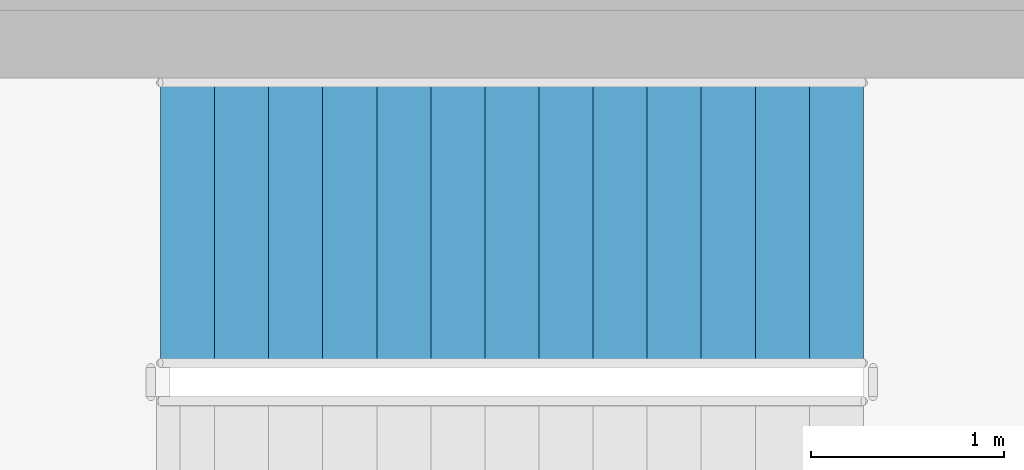
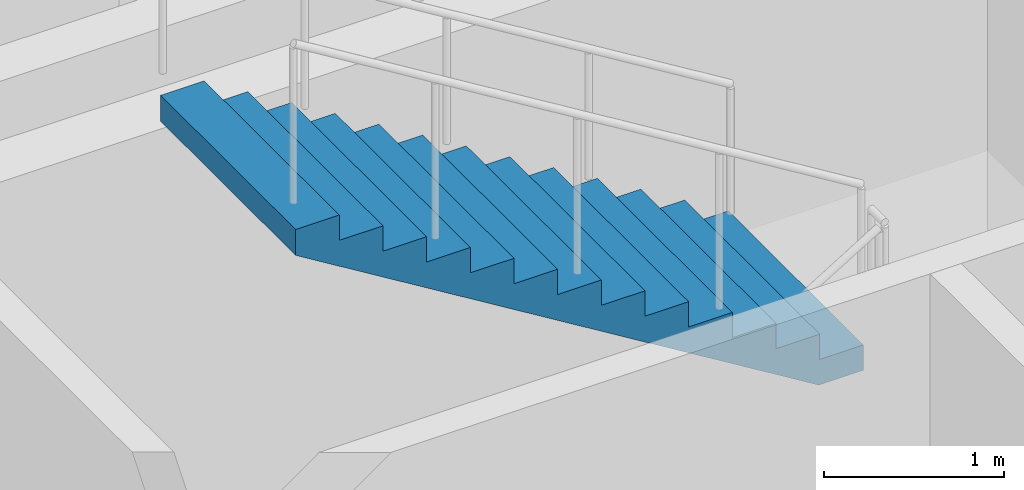
# One storey, part 72 of 91: 1 stair flight, 1 element without a shape of its own.
"""IFC4 building model written with IfcOpenShell, lengths in metres."""

from ifc_helpers import new_model, si_unit, direction, frame, origin, place, context, subcontext, project, spatial, triangles, material, type_object, element, aggregate, save


model = new_model("IFC4")

# Units and contexts
model_context = context("Model", 3, precision=1e-05, world=origin(), true_north=direction((0.0, 1.0)))
body_context = subcontext(model_context, "Body", "Model", "MODEL_VIEW")
ifc_project = project(units=[si_unit("LENGTHUNIT", "METRE"), si_unit("AREAUNIT", "SQUARE_METRE"), si_unit("VOLUMEUNIT", "CUBIC_METRE"), si_unit("PLANEANGLEUNIT", "RADIAN"), si_unit("MASSUNIT", "GRAM", prefix="KILO")], contexts=[model_context])

# Site, building, storey
site_placement = place(None, origin())
site = spatial("IfcSite", under=ifc_project, at=site_placement, CompositionType="ELEMENT")
building_placement = place(site_placement, origin())
building = spatial("IfcBuilding", under=site, at=building_placement, Name="Magnolia Steps Interchange", CompositionType="ELEMENT")
storey_placement = place(building_placement, origin())
storey = spatial("IfcBuildingStorey", under=building, at=storey_placement, Name="L00", CompositionType="ELEMENT", Elevation=0.0)

# Stair, stair flight
ifc_material_1 = material(Name="Concrete C40", Category="concrete")
stair_type = type_object("IfcStairType", Name="Exit stair 1500", PredefinedType="HALF_TURN_STAIR", material=ifc_material_1)
stair_placement = place(storey_placement, origin())
stair = element("IfcStair", 1, at=stair_placement, inside=storey, type_object=stair_type, Name="L00 Stair 3", PredefinedType="HALF_TURN_STAIR")
ifc_material_2 = material(Name="Concrete C40", Category="concrete")
stair_flight_type = type_object("IfcStairFlightType", Name="Exit stair flight", PredefinedType="STRAIGHT", material=ifc_material_2)
stair_flight_placement = place(storey_placement, frame((115.840087890625, 84.35009765625, 2.39990234375), z_axis=(0.0, 0.0, 1.0), x_axis=(-1.0, 0.0, 0.0)))
stair_flight = element("IfcStairFlight", 2, at=stair_flight_placement, type_object=stair_flight_type, Name="Stair 3 flight 2", NumberOfRisers=14, NumberOfTreads=13, PredefinedType="STRAIGHT", RiserHeight=0.171428571, TreadLength=0.28, context=body_context, shape_type="Tessellation", body=[
    triangles([(0.0, -0.75, 0.0), (0.287109375, -0.75, 0.0), (3.639892578125, -0.75, 2.052734375), (3.639892578125, -0.75, 2.228515625), (3.360107421875, -0.75, 2.228515625), (3.360107421875, -0.75, 2.05712890625), (3.080078125, -0.75, 2.05712890625), (3.080078125, -0.75, 1.8857421875), (2.800048828125, -0.75, 1.8857421875), (2.800048828125, -0.75, 1.71435546875), (2.52001953125, -0.75, 1.71435546875), (2.52001953125, -0.75, 1.54296875), (2.239990234375, -0.75, 1.54296875), (2.239990234375, -0.75, 1.371337890625), (1.9599609375, -0.75, 1.371337890625), (1.9599609375, -0.75, 1.199951171875), (1.679931640625, -0.75, 1.199951171875), (1.679931640625, -0.75, 1.028564453125), (1.39990234375, -0.75, 1.028564453125), (1.39990234375, -0.75, 0.857177734375), (1.1201171875, -0.75, 0.857177734375), (1.1201171875, -0.75, 0.685791015625), (0.840087890625, -0.75, 0.685791015625), (0.840087890625, -0.75, 0.514404296875), (0.56005859375, -0.75, 0.514404296875), (0.56005859375, -0.75, 0.3427734375), (0.280029296875, -0.75, 0.3427734375), (0.280029296875, -0.75, 0.17138671875), (0.0, -0.75, 0.17138671875), (0.0, 0.75, 0.0), (0.287109375, 0.75, 0.0), (3.639892578125, 0.75, 2.052734375), (3.639892578125, 0.75, 2.228515625), (3.360107421875, 0.75, 2.228515625), (3.360107421875, 0.75, 2.05712890625), (3.080078125, 0.75, 2.05712890625), (3.080078125, 0.75, 1.8857421875), (2.800048828125, 0.75, 1.8857421875), (2.800048828125, 0.75, 1.71435546875), (2.52001953125, 0.75, 1.71435546875), (2.52001953125, 0.75, 1.54296875), (2.239990234375, 0.75, 1.54296875), (2.239990234375, 0.75, 1.371337890625), (1.9599609375, 0.75, 1.371337890625), (1.9599609375, 0.75, 1.199951171875), (1.679931640625, 0.75, 1.199951171875), (1.679931640625, 0.75, 1.028564453125), (1.39990234375, 0.75, 1.028564453125), (1.39990234375, 0.75, 0.857177734375), (1.1201171875, 0.75, 0.857177734375), (1.1201171875, 0.75, 0.685791015625), (0.840087890625, 0.75, 0.685791015625), (0.840087890625, 0.75, 0.514404296875), (0.56005859375, 0.75, 0.514404296875), (0.56005859375, 0.75, 0.3427734375), (0.280029296875, 0.75, 0.3427734375), (0.280029296875, 0.75, 0.17138671875), (0.0, 0.75, 0.17138671875), (0.0, 0.0, 0.0), (0.0, 0.0, 0.0428466796875), (0.0, 0.0, 0.085693359375), (0.0, 0.0, 0.1285400390625), (0.0, 0.0, 0.17138671875), (0.0, -0.05, 0.0), (0.0, -0.05, 0.17138671875), (0.0, 0.05, 0.0), (0.0, 0.05, 0.17138671875), (0.046671549479166664, 0.0, 0.17138671875), (0.09334309895833333, 0.0, 0.17138671875), (0.1400146484375, 0.0, 0.17138671875), (0.18668619791666666, 0.0, 0.17138671875), (0.23335774739583334, 0.0, 0.17138671875), (0.280029296875, 0.0, 0.17138671875), (0.280029296875, -0.05, 0.17138671875), (0.280029296875, 0.05, 0.17138671875), (0.280029296875, 0.0, 0.2142333984375), (0.280029296875, 0.0, 0.257080078125), (0.280029296875, 0.0, 0.2999267578125), (0.280029296875, 0.0, 0.3427734375), (0.280029296875, -0.05, 0.3427734375), (0.280029296875, 0.05, 0.3427734375), (0.3267008463541667, 0.0, 0.3427734375), (0.3733723958333333, 0.0, 0.3427734375), (0.4200439453125, 0.0, 0.3427734375), (0.46671549479166663, 0.0, 0.3427734375), (0.5133870442708334, 0.0, 0.3427734375), (0.56005859375, 0.0, 0.3427734375), (0.56005859375, -0.05, 0.3427734375), (0.56005859375, 0.05, 0.3427734375), (0.56005859375, 0.0, 0.38568115234375), (0.56005859375, 0.0, 0.4285888671875), (0.56005859375, 0.0, 0.47149658203125), (0.56005859375, 0.0, 0.514404296875), (0.56005859375, -0.05, 0.514404296875), (0.56005859375, 0.05, 0.514404296875), (0.6067301432291666, 0.0, 0.514404296875), (0.6534016927083334, 0.0, 0.514404296875), (0.7000732421875, 0.0, 0.514404296875), (0.7467447916666666, 0.0, 0.514404296875), (0.7934163411458334, 0.0, 0.514404296875), (0.840087890625, 0.0, 0.514404296875), (0.840087890625, -0.05, 0.514404296875), (0.840087890625, 0.05, 0.514404296875), (0.840087890625, 0.0, 0.5572509765625), (0.840087890625, 0.0, 0.60009765625), (0.840087890625, 0.0, 0.6429443359375), (0.840087890625, 0.0, 0.685791015625), (0.840087890625, -0.05, 0.685791015625), (0.840087890625, 0.05, 0.685791015625), (0.8867594401041666, 0.0, 0.685791015625), (0.9334309895833334, 0.0, 0.685791015625), (0.9801025390625, 0.0, 0.685791015625), (1.0267740885416667, 0.0, 0.685791015625), (1.0734456380208333, 0.0, 0.685791015625), (1.1201171875, 0.0, 0.685791015625), (1.1201171875, -0.05, 0.685791015625), (1.1201171875, 0.05, 0.685791015625), (1.1201171875, 0.0, 0.7286376953125), (1.1201171875, 0.0, 0.771484375), (1.1201171875, 0.0, 0.8143310546875), (1.1201171875, 0.0, 0.857177734375), (1.1201171875, -0.05, 0.857177734375), (1.1201171875, 0.05, 0.857177734375), (1.1900634765625, 0.0, 0.857177734375), (1.260009765625, 0.0, 0.857177734375), (1.3299560546875, 0.0, 0.857177734375), (1.39990234375, 0.0, 0.857177734375), (1.39990234375, -0.05, 0.857177734375), (1.39990234375, 0.05, 0.857177734375), (1.39990234375, 0.0, 0.9000244140625), (1.39990234375, 0.0, 0.94287109375), (1.39990234375, 0.0, 0.9857177734375), (1.39990234375, 0.0, 1.028564453125), (1.39990234375, -0.05, 1.028564453125), (1.39990234375, 0.05, 1.028564453125), (1.4465738932291667, 0.0, 1.028564453125), (1.4932454427083333, 0.0, 1.028564453125), (1.5399169921875, 0.0, 1.028564453125), (1.5865885416666667, 0.0, 1.028564453125), (1.6332600911458333, 0.0, 1.028564453125), (1.679931640625, 0.0, 1.028564453125), (1.679931640625, -0.05, 1.028564453125), (1.679931640625, 0.05, 1.028564453125), (1.679931640625, 0.0, 1.0714111328125), (1.679931640625, 0.0, 1.1142578125), (1.679931640625, 0.0, 1.1571044921875), (1.679931640625, 0.0, 1.199951171875), (1.679931640625, -0.05, 1.199951171875), (1.679931640625, 0.05, 1.199951171875), (1.7266031901041667, 0.0, 1.199951171875), (1.7732747395833333, 0.0, 1.199951171875), (1.8199462890625, 0.0, 1.199951171875), (1.8666178385416667, 0.0, 1.199951171875), (1.9132893880208333, 0.0, 1.199951171875), (1.9599609375, 0.0, 1.199951171875), (1.9599609375, -0.05, 1.199951171875), (1.9599609375, 0.05, 1.199951171875), (1.9599609375, 0.0, 1.2427978515625), (1.9599609375, 0.0, 1.28564453125), (1.9599609375, 0.0, 1.3284912109375), (1.9599609375, 0.0, 1.371337890625), (1.9599609375, -0.05, 1.371337890625), (1.9599609375, 0.05, 1.371337890625), (2.0066324869791665, 0.0, 1.371337890625), (2.0533040364583335, 0.0, 1.371337890625), (2.0999755859375, 0.0, 1.371337890625), (2.1466471354166665, 0.0, 1.371337890625), (2.1933186848958335, 0.0, 1.371337890625), (2.239990234375, 0.0, 1.371337890625), (2.239990234375, -0.05, 1.371337890625), (2.239990234375, 0.05, 1.371337890625), (2.239990234375, 0.0, 1.41424560546875), (2.239990234375, 0.0, 1.4571533203125), (2.239990234375, 0.0, 1.50006103515625), (2.239990234375, 0.0, 1.54296875), (2.239990234375, -0.05, 1.54296875), (2.239990234375, 0.05, 1.54296875), (2.2866617838541665, 0.0, 1.54296875), (2.3333333333333335, 0.0, 1.54296875), (2.3800048828125, 0.0, 1.54296875), (2.4266764322916665, 0.0, 1.54296875), (2.4733479817708335, 0.0, 1.54296875), (2.52001953125, 0.0, 1.54296875), (2.52001953125, -0.05, 1.54296875), (2.52001953125, 0.05, 1.54296875), (2.52001953125, 0.0, 1.5858154296875), (2.52001953125, 0.0, 1.628662109375), (2.52001953125, 0.0, 1.6715087890625), (2.52001953125, 0.0, 1.71435546875), (2.52001953125, -0.05, 1.71435546875), (2.52001953125, 0.05, 1.71435546875), (2.5666910807291665, 0.0, 1.71435546875), (2.6133626302083335, 0.0, 1.71435546875), (2.6600341796875, 0.0, 1.71435546875), (2.7067057291666665, 0.0, 1.71435546875), (2.7533772786458335, 0.0, 1.71435546875), (2.800048828125, 0.0, 1.71435546875), (2.800048828125, -0.05, 1.71435546875), (2.800048828125, 0.05, 1.71435546875), (2.800048828125, 0.0, 1.7572021484375), (2.800048828125, 0.0, 1.800048828125), (2.800048828125, 0.0, 1.8428955078125), (2.800048828125, 0.0, 1.8857421875), (2.800048828125, -0.05, 1.8857421875), (2.800048828125, 0.05, 1.8857421875), (2.8467203776041665, 0.0, 1.8857421875), (2.8933919270833335, 0.0, 1.8857421875), (2.9400634765625, 0.0, 1.8857421875), (2.9867350260416665, 0.0, 1.8857421875), (3.0334065755208335, 0.0, 1.8857421875), (3.080078125, 0.0, 1.8857421875), (3.080078125, -0.05, 1.8857421875), (3.080078125, 0.05, 1.8857421875), (3.080078125, 0.0, 1.9285888671875), (3.080078125, 0.0, 1.971435546875), (3.080078125, 0.0, 2.0142822265625), (3.080078125, 0.0, 2.05712890625), (3.080078125, -0.05, 2.05712890625), (3.080078125, 0.05, 2.05712890625), (3.1267496744791665, 0.0, 2.05712890625), (3.1734212239583335, 0.0, 2.05712890625), (3.2200927734375, 0.0, 2.05712890625), (3.2667643229166665, 0.0, 2.05712890625), (3.3134358723958335, 0.0, 2.05712890625), (3.360107421875, 0.0, 2.05712890625), (3.360107421875, -0.05, 2.05712890625), (3.360107421875, 0.05, 2.05712890625), (3.360107421875, 0.0, 2.0999755859375), (3.360107421875, 0.0, 2.142822265625), (3.360107421875, 0.0, 2.1856689453125), (3.360107421875, 0.0, 2.228515625), (3.360107421875, -0.05, 2.228515625), (3.360107421875, 0.05, 2.228515625), (3.4300537109375, 0.0, 2.228515625), (3.5, 0.0, 2.228515625), (3.5699462890625, 0.0, 2.228515625), (3.639892578125, 0.0, 2.228515625), (3.639892578125, -0.05, 2.228515625), (3.639892578125, 0.05, 2.228515625), (3.639892578125, 0.0, 2.1845703125), (3.639892578125, 0.0, 2.140625), (3.639892578125, 0.0, 2.0966796875), (3.639892578125, 0.0, 2.052734375), (3.639892578125, -0.05, 2.052734375), (3.639892578125, 0.05, 2.052734375), (3.582085971174569, 0.0, 2.0173424030172415), (3.524279364224138, 0.0, 1.9819504310344827), (3.466472757273707, 0.0, 1.9465584590517242), (3.408666150323276, 0.0, 1.9111664870689655), (3.3508595433728448, 0.0, 1.8757745150862069), (3.2930529364224137, 0.0, 1.8403825431034484), (3.2352463294719827, 0.0, 1.8049905711206897), (3.1774397225215516, 0.0, 1.769598599137931), (3.1196331155711206, 0.0, 1.7342066271551724), (3.0618265086206895, 0.0, 1.6988146551724137), (3.004019901670259, 0.0, 1.6634226831896552), (2.9462132947198274, 0.0, 1.6280307112068966), (2.888406687769397, 0.0, 1.592638739224138), (2.8306000808189653, 0.0, 1.5572467672413794), (2.7727934738685347, 0.0, 1.5218547952586206), (2.714986866918103, 0.0, 1.486462823275862), (2.6571802599676726, 0.0, 1.4510708512931034), (2.599373653017241, 0.0, 1.4156788793103448), (2.5415670460668105, 0.0, 1.3802869073275863), (2.483760439116379, 0.0, 1.3448949353448276), (2.4259538321659484, 0.0, 1.309502963362069), (2.3681472252155173, 0.0, 1.2741109913793105), (2.3103406182650863, 0.0, 1.2387190193965516), (2.2525340113146552, 0.0, 1.2033270474137931), (2.194727404364224, 0.0, 1.1679350754310345), (2.136920797413793, 0.0, 1.1325431034482758), (2.079114190463362, 0.0, 1.0971511314655173), (2.021307583512931, 0.0, 1.0617591594827587), (1.9635009765625, 0.0, 1.0263671875), (1.905694369612069, 0.0, 0.9909752155172413), (1.847887762661638, 0.0, 0.9555832435344827), (1.7900811557112069, 0.0, 0.9201912715517242), (1.7322745487607758, 0.0, 0.8847992995689655), (1.6744679418103448, 0.0, 0.8494073275862069), (1.6166613348599137, 0.0, 0.8140153556034482), (1.5588547279094827, 0.0, 0.7786233836206897), (1.5010481209590516, 0.0, 0.743231411637931), (1.4432415140086206, 0.0, 0.7078394396551724), (1.3854349070581895, 0.0, 0.6724474676724137), (1.3276283001077585, 0.0, 0.6370554956896552), (1.2698216931573274, 0.0, 0.6016635237068966), (1.2120150862068964, 0.0, 0.5662715517241379), (1.1542084792564653, 0.0, 0.5308795797413792), (1.0964018723060347, 0.0, 0.4954876077586208), (1.0385952653556036, 0.0, 0.4600956357758621), (0.9807886584051726, 0.0, 0.4247036637931034), (0.9229820514547415, 0.0, 0.38931169181034475), (0.8651754445043105, 0.0, 0.3539197198275863), (0.8073688375538794, 0.0, 0.3185277478448276), (0.7495622306034484, 0.0, 0.28313577586206895), (0.6917556236530173, 0.0, 0.24774380387931028), (0.6339490167025863, 0.0, 0.21235183189655182), (0.5761424097521552, 0.0, 0.17695985991379315), (0.5183358028017242, 0.0, 0.14156788793103448), (0.46052919585129315, 0.0, 0.1061759159482758), (0.4027225889008621, 0.0, 0.07078394396551735), (0.34491598195043105, 0.0, 0.03539197198275845), (0.287109375, 0.0, 0.0), (0.287109375, -0.05, 0.0), (0.287109375, 0.05, 0.0), (0.2392578125, 0.0, 0.0), (0.19140625, 0.0, 0.0), (0.1435546875, 0.0, 0.0), (0.095703125, 0.0, 0.0), (0.0478515625, 0.0, 0.0)], [[1, 2, 3], [3, 4, 5], [3, 5, 6], [3, 6, 7], [3, 7, 8], [8, 9, 10], [3, 8, 10], [10, 11, 12], [3, 10, 12], [12, 13, 14], [3, 12, 14], [14, 15, 16], [3, 14, 16], [16, 17, 18], [3, 16, 18], [18, 19, 20], [3, 18, 20], [20, 21, 22], [3, 20, 22], [22, 23, 24], [3, 22, 24], [24, 25, 26], [3, 24, 26], [26, 27, 28], [3, 26, 28], [1, 3, 28], [28, 29, 1], [30, 32, 31], [32, 34, 33], [32, 35, 34], [32, 36, 35], [32, 37, 36], [37, 39, 38], [32, 39, 37], [39, 41, 40], [32, 41, 39], [41, 43, 42], [32, 43, 41], [43, 45, 44], [32, 45, 43], [45, 47, 46], [32, 47, 45], [47, 49, 48], [32, 49, 47], [49, 51, 50], [32, 51, 49], [51, 53, 52], [32, 53, 51], [53, 55, 54], [32, 55, 53], [55, 57, 56], [32, 57, 55], [30, 57, 32], [57, 30, 58], [1, 29, 65], [1, 65, 64], [64, 60, 59], [64, 61, 60], [64, 65, 61], [65, 62, 61], [65, 63, 62], [30, 67, 58], [30, 66, 67], [66, 59, 60], [66, 60, 61], [66, 61, 67], [67, 61, 62], [67, 62, 63], [29, 28, 74], [29, 74, 65], [65, 68, 63], [65, 69, 68], [65, 70, 69], [65, 74, 70], [74, 71, 70], [74, 72, 71], [74, 73, 72], [58, 75, 57], [58, 67, 75], [67, 63, 68], [67, 68, 69], [67, 69, 70], [67, 70, 75], [75, 70, 71], [75, 71, 72], [75, 72, 73], [28, 27, 80], [28, 80, 74], [74, 76, 73], [74, 77, 76], [74, 80, 77], [80, 78, 77], [80, 79, 78], [57, 81, 56], [57, 75, 81], [75, 73, 76], [75, 76, 77], [75, 77, 81], [81, 77, 78], [81, 78, 79], [27, 26, 88], [27, 88, 80], [80, 82, 79], [80, 83, 82], [80, 84, 83], [80, 88, 84], [88, 85, 84], [88, 86, 85], [88, 87, 86], [56, 89, 55], [56, 81, 89], [81, 79, 82], [81, 82, 83], [81, 83, 84], [81, 84, 89], [89, 84, 85], [89, 85, 86], [89, 86, 87], [26, 25, 94], [26, 94, 88], [88, 90, 87], [88, 91, 90], [88, 94, 91], [94, 92, 91], [94, 93, 92], [55, 95, 54], [55, 89, 95], [89, 87, 90], [89, 90, 91], [89, 91, 95], [95, 91, 92], [95, 92, 93], [25, 24, 102], [25, 102, 94], [94, 96, 93], [94, 97, 96], [94, 98, 97], [94, 102, 98], [102, 99, 98], [102, 100, 99], [102, 101, 100], [54, 103, 53], [54, 95, 103], [95, 93, 96], [95, 96, 97], [95, 97, 98], [95, 98, 103], [103, 98, 99], [103, 99, 100], [103, 100, 101], [24, 23, 108], [24, 108, 102], [102, 104, 101], [102, 105, 104], [102, 108, 105], [108, 106, 105], [108, 107, 106], [53, 109, 52], [53, 103, 109], [103, 101, 104], [103, 104, 105], [103, 105, 109], [109, 105, 106], [109, 106, 107], [23, 22, 116], [23, 116, 108], [108, 110, 107], [108, 111, 110], [108, 112, 111], [108, 116, 112], [116, 113, 112], [116, 114, 113], [116, 115, 114], [52, 117, 51], [52, 109, 117], [109, 107, 110], [109, 110, 111], [109, 111, 112], [109, 112, 117], [117, 112, 113], [117, 113, 114], [117, 114, 115], [22, 21, 122], [22, 122, 116], [116, 118, 115], [116, 119, 118], [116, 122, 119], [122, 120, 119], [122, 121, 120], [51, 123, 50], [51, 117, 123], [117, 115, 118], [117, 118, 119], [117, 119, 123], [123, 119, 120], [123, 120, 121], [21, 20, 128], [21, 128, 122], [122, 124, 121], [122, 125, 124], [122, 128, 125], [128, 126, 125], [128, 127, 126], [50, 129, 49], [50, 123, 129], [123, 121, 124], [123, 124, 125], [123, 125, 129], [129, 125, 126], [129, 126, 127], [20, 19, 134], [20, 134, 128], [128, 130, 127], [128, 131, 130], [128, 134, 131], [134, 132, 131], [134, 133, 132], [49, 135, 48], [49, 129, 135], [129, 127, 130], [129, 130, 131], [129, 131, 135], [135, 131, 132], [135, 132, 133], [19, 18, 142], [19, 142, 134], [134, 136, 133], [134, 137, 136], [134, 138, 137], [134, 142, 138], [142, 139, 138], [142, 140, 139], [142, 141, 140], [48, 143, 47], [48, 135, 143], [135, 133, 136], [135, 136, 137], [135, 137, 138], [135, 138, 143], [143, 138, 139], [143, 139, 140], [143, 140, 141], [18, 17, 148], [18, 148, 142], [142, 144, 141], [142, 145, 144], [142, 148, 145], [148, 146, 145], [148, 147, 146], [47, 149, 46], [47, 143, 149], [143, 141, 144], [143, 144, 145], [143, 145, 149], [149, 145, 146], [149, 146, 147], [17, 16, 156], [17, 156, 148], [148, 150, 147], [148, 151, 150], [148, 152, 151], [148, 156, 152], [156, 153, 152], [156, 154, 153], [156, 155, 154], [46, 157, 45], [46, 149, 157], [149, 147, 150], [149, 150, 151], [149, 151, 152], [149, 152, 157], [157, 152, 153], [157, 153, 154], [157, 154, 155], [16, 15, 162], [16, 162, 156], [156, 158, 155], [156, 159, 158], [156, 162, 159], [162, 160, 159], [162, 161, 160], [45, 163, 44], [45, 157, 163], [157, 155, 158], [157, 158, 159], [157, 159, 163], [163, 159, 160], [163, 160, 161], [15, 14, 170], [15, 170, 162], [162, 164, 161], [162, 165, 164], [162, 166, 165], [162, 170, 166], [170, 167, 166], [170, 168, 167], [170, 169, 168], [44, 171, 43], [44, 163, 171], [163, 161, 164], [163, 164, 165], [163, 165, 166], [163, 166, 171], [171, 166, 167], [171, 167, 168], [171, 168, 169], [14, 13, 176], [14, 176, 170], [170, 172, 169], [170, 173, 172], [170, 176, 173], [176, 174, 173], [176, 175, 174], [43, 177, 42], [43, 171, 177], [171, 169, 172], [171, 172, 173], [171, 173, 177], [177, 173, 174], [177, 174, 175], [13, 12, 184], [13, 184, 176], [176, 178, 175], [176, 179, 178], [176, 180, 179], [176, 184, 180], [184, 181, 180], [184, 182, 181], [184, 183, 182], [42, 185, 41], [42, 177, 185], [177, 175, 178], [177, 178, 179], [177, 179, 180], [177, 180, 185], [185, 180, 181], [185, 181, 182], [185, 182, 183], [12, 11, 190], [12, 190, 184], [184, 186, 183], [184, 187, 186], [184, 190, 187], [190, 188, 187], [190, 189, 188], [41, 191, 40], [41, 185, 191], [185, 183, 186], [185, 186, 187], [185, 187, 191], [191, 187, 188], [191, 188, 189], [11, 10, 198], [11, 198, 190], [190, 192, 189], [190, 193, 192], [190, 194, 193], [190, 198, 194], [198, 195, 194], [198, 196, 195], [198, 197, 196], [40, 199, 39], [40, 191, 199], [191, 189, 192], [191, 192, 193], [191, 193, 194], [191, 194, 199], [199, 194, 195], [199, 195, 196], [199, 196, 197], [10, 9, 204], [10, 204, 198], [198, 200, 197], [198, 201, 200], [198, 204, 201], [204, 202, 201], [204, 203, 202], [39, 205, 38], [39, 199, 205], [199, 197, 200], [199, 200, 201], [199, 201, 205], [205, 201, 202], [205, 202, 203], [9, 8, 212], [9, 212, 204], [204, 206, 203], [204, 207, 206], [204, 208, 207], [204, 212, 208], [212, 209, 208], [212, 210, 209], [212, 211, 210], [38, 213, 37], [38, 205, 213], [205, 203, 206], [205, 206, 207], [205, 207, 208], [205, 208, 213], [213, 208, 209], [213, 209, 210], [213, 210, 211], [8, 7, 218], [8, 218, 212], [212, 214, 211], [212, 215, 214], [212, 218, 215], [218, 216, 215], [218, 217, 216], [37, 219, 36], [37, 213, 219], [213, 211, 214], [213, 214, 215], [213, 215, 219], [219, 215, 216], [219, 216, 217], [7, 6, 226], [7, 226, 218], [218, 220, 217], [218, 221, 220], [218, 222, 221], [218, 226, 222], [226, 223, 222], [226, 224, 223], [226, 225, 224], [36, 227, 35], [36, 219, 227], [219, 217, 220], [219, 220, 221], [219, 221, 222], [219, 222, 227], [227, 222, 223], [227, 223, 224], [227, 224, 225], [6, 5, 232], [6, 232, 226], [226, 228, 225], [226, 229, 228], [226, 232, 229], [232, 230, 229], [232, 231, 230], [35, 233, 34], [35, 227, 233], [227, 225, 228], [227, 228, 229], [227, 229, 233], [233, 229, 230], [233, 230, 231], [5, 4, 238], [5, 238, 232], [232, 234, 231], [232, 235, 234], [232, 238, 235], [238, 236, 235], [238, 237, 236], [34, 239, 33], [34, 233, 239], [233, 231, 234], [233, 234, 235], [233, 235, 239], [239, 235, 236], [239, 236, 237], [4, 3, 244], [4, 244, 238], [238, 240, 237], [238, 241, 240], [238, 244, 241], [244, 242, 241], [244, 243, 242], [33, 245, 32], [33, 239, 245], [239, 237, 240], [239, 240, 241], [239, 241, 245], [245, 241, 242], [245, 242, 243], [3, 2, 304], [3, 304, 244], [244, 246, 243], [244, 247, 246], [244, 248, 247], [244, 249, 248], [244, 250, 249], [244, 251, 250], [244, 252, 251], [244, 253, 252], [244, 254, 253], [244, 255, 254], [244, 256, 255], [244, 257, 256], [244, 258, 257], [244, 259, 258], [244, 260, 259], [244, 261, 260], [244, 262, 261], [244, 263, 262], [244, 264, 263], [244, 265, 264], [244, 266, 265], [244, 267, 266], [244, 268, 267], [244, 269, 268], [244, 270, 269], [244, 271, 270], [244, 272, 271], [244, 273, 272], [244, 274, 273], [244, 304, 274], [304, 275, 274], [304, 276, 275], [304, 277, 276], [304, 278, 277], [304, 279, 278], [304, 280, 279], [304, 281, 280], [304, 282, 281], [304, 283, 282], [304, 284, 283], [304, 285, 284], [304, 286, 285], [304, 287, 286], [304, 288, 287], [304, 289, 288], [304, 290, 289], [304, 291, 290], [304, 292, 291], [304, 293, 292], [304, 294, 293], [304, 295, 294], [304, 296, 295], [304, 297, 296], [304, 298, 297], [304, 299, 298], [304, 300, 299], [304, 301, 300], [304, 302, 301], [304, 303, 302], [32, 305, 31], [32, 245, 305], [245, 243, 246], [245, 246, 247], [245, 247, 248], [245, 248, 249], [245, 249, 250], [245, 250, 251], [245, 251, 252], [245, 252, 253], [245, 253, 254], [245, 254, 255], [245, 255, 256], [245, 256, 257], [245, 257, 258], [245, 258, 259], [245, 259, 260], [245, 260, 261], [245, 261, 262], [245, 262, 263], [245, 263, 264], [245, 264, 265], [245, 265, 266], [245, 266, 267], [245, 267, 268], [245, 268, 269], [245, 269, 270], [245, 270, 271], [245, 271, 272], [245, 272, 273], [245, 273, 274], [245, 274, 305], [305, 274, 275], [305, 275, 276], [305, 276, 277], [305, 277, 278], [305, 278, 279], [305, 279, 280], [305, 280, 281], [305, 281, 282], [305, 282, 283], [305, 283, 284], [305, 284, 285], [305, 285, 286], [305, 286, 287], [305, 287, 288], [305, 288, 289], [305, 289, 290], [305, 290, 291], [305, 291, 292], [305, 292, 293], [305, 293, 294], [305, 294, 295], [305, 295, 296], [305, 296, 297], [305, 297, 298], [305, 298, 299], [305, 299, 300], [305, 300, 301], [305, 301, 302], [305, 302, 303], [2, 1, 64], [2, 64, 304], [304, 306, 303], [304, 307, 306], [304, 308, 307], [304, 64, 308], [64, 309, 308], [64, 310, 309], [64, 59, 310], [31, 66, 30], [31, 305, 66], [305, 303, 306], [305, 306, 307], [305, 307, 308], [305, 308, 66], [66, 308, 309], [66, 309, 310], [66, 310, 59]], closed=True),
])
aggregate(stair, [stair_flight])

save(model, "model.ifc")
